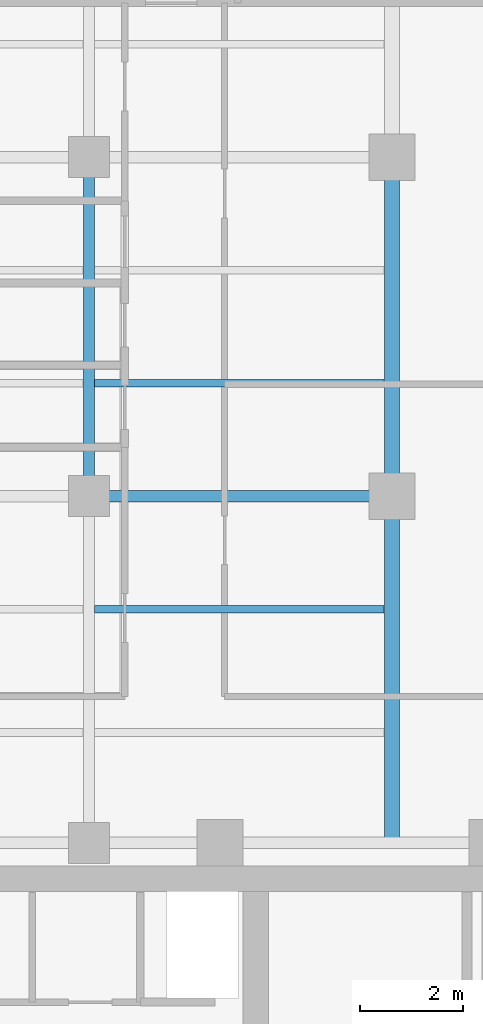
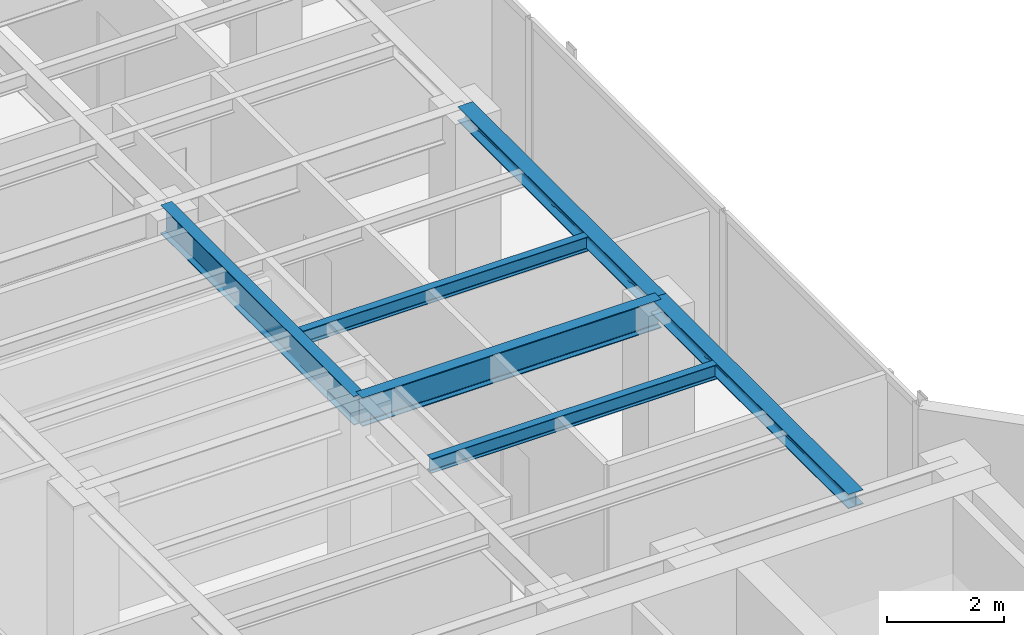
# One storey, part 8 of 23: 6 beams.
"""IFC4 building model written with IfcOpenShell, lengths in metres."""

from ifc_helpers import new_model, si_unit, direction, frame, origin, origin_2d, place, context, subcontext, project, spatial, i_section, extrude, material, material_profile, profile_set, type_object, element, save


model = new_model("IFC4")

# Units and contexts
model_context = context("Model", 3, precision=1e-05, world=origin(), true_north=direction((0.0, 1.0)))
body_context = subcontext(model_context, "Body", "Model", "MODEL_VIEW")
ifc_project = project(units=[si_unit("LENGTHUNIT", "METRE"), si_unit("AREAUNIT", "SQUARE_METRE"), si_unit("VOLUMEUNIT", "CUBIC_METRE"), si_unit("PLANEANGLEUNIT", "RADIAN"), si_unit("MASSUNIT", "GRAM", prefix="KILO")], contexts=[model_context])

# Site, building, storey
site_placement = place(None, origin())
site = spatial("IfcSite", under=ifc_project, at=site_placement, CompositionType="ELEMENT")
building_placement = place(site_placement, origin())
building = spatial("IfcBuilding", under=site, at=building_placement, Name="Kolvaren Waterfront Exchange", CompositionType="ELEMENT")
storey_placement = place(building_placement, frame((0.0, 0.0, 304.60009765625)))
storey = spatial("IfcBuildingStorey", under=building, at=storey_placement, Name="L78", CompositionType="ELEMENT", Elevation=304.60009765625)

# Beams
ifc_material = material(Name="Steel S355", Category="steel")
ifc_material_profile_1 = material_profile(ifc_material, i_section(OverallWidth=0.300048828125, OverallDepth=0.300048828125, WebThickness=0.010986328125, FlangeThickness=0.01904296875, FilletRadius=0.027099609375, at=origin_2d()), Name="HEB300")
ifc_profile_set_1 = profile_set([ifc_material_profile_1], Name="Steel S355")
beam_type_1 = type_object("IfcBeamType", Name="STR-BM-HEB300", PredefinedType="SPANDREL", material=ifc_profile_set_1)
beam_1_placement = place(storey_placement, frame((18.800048828125, 24.449951171875, 3.409912109375), z_axis=(0.0, 1.0, 0.0), x_axis=(-1.0, 0.0, 0.0)))
element("IfcBeam", 1, at=beam_1_placement, inside=storey, type_object=beam_type_1, Name="L78 north-arm edge beam 1", PredefinedType="SPANDREL", context=body_context, shape_type="SweptSolid", body=[
    extrude(i_section(OverallWidth=0.300048828125, OverallDepth=0.300048828125, WebThickness=0.010986328125, FlangeThickness=0.01904296875, FilletRadius=0.027099609375, at=origin_2d()), origin(), (0.0, 0.0, 1.0), 6.75),
])
beam_2_placement = place(storey_placement, frame((18.800048828125, 31.199951171875, 3.409912109375), z_axis=(0.0, 1.0, 0.0), x_axis=(-1.0, 0.0, 0.0)))
element("IfcBeam", 2, at=beam_2_placement, inside=storey, type_object=beam_type_1, Name="L78 north-arm edge beam 2", PredefinedType="SPANDREL", context=body_context, shape_type="SweptSolid", body=[
    extrude(i_section(OverallWidth=0.300048828125, OverallDepth=0.300048828125, WebThickness=0.010986328125, FlangeThickness=0.01904296875, FilletRadius=0.027099609375, at=origin_2d()), origin(), (0.0, 0.0, 1.0), 6.60009765625),
])
ifc_material_profile_2 = material_profile(ifc_material, i_section(OverallWidth=0.14990234375, OverallDepth=0.300048828125, WebThickness=0.007080078125, FlangeThickness=0.0107421875, FilletRadius=0.014892578125, at=origin_2d()), Name="IPE300")
ifc_profile_set_2 = profile_set([ifc_material_profile_2], Name="Steel S355")
beam_type_2 = type_object("IfcBeamType", Name="STR-BM-IPE300", PredefinedType="JOIST", material=ifc_profile_set_2)
for number, where, z_axis, x_axis, name in (
    (3, (13.011962890625, 29.0, 3.409912109375), (1.0, 0.0, 0.0), (0.0, 1.0, 0.0), "L78 north-arm composite joist 2B"),
    (4, (13.011962890625, 33.39990234375, 3.409912109375), (1.0, 0.0, 0.0), (0.0, 1.0, 0.0), "L78 north-arm composite joist 3B"),
):
    element("IfcBeam", number, at=place(storey_placement, frame(where, z_axis=z_axis, x_axis=x_axis)), inside=storey, type_object=beam_type_2, Name=name, PredefinedType="JOIST", context=body_context, shape_type="SweptSolid", body=[
        extrude(i_section(OverallWidth=0.14990234375, OverallDepth=0.300048828125, WebThickness=0.007080078125, FlangeThickness=0.0107421875, FilletRadius=0.014892578125, at=origin_2d()), origin(), (0.0, 0.0, 1.0), 5.635986328125),
    ])
ifc_material_profile_3 = material_profile(ifc_material, i_section(OverallWidth=0.219970703125, OverallDepth=0.60009765625, WebThickness=0.011962890625, FlangeThickness=0.01904296875, FilletRadius=0.02392578125, at=origin_2d()), Name="IPE600")
ifc_profile_set_3 = profile_set([ifc_material_profile_3], Name="Steel S355")
beam_type_3 = type_object("IfcBeamType", Name="STR-BM-IPE600", PredefinedType="BEAM", material=ifc_profile_set_3)
beam_3_placement = place(storey_placement, frame((12.89990234375, 31.199951171875, 3.260009765625), z_axis=(1.0, 0.0, 0.0), x_axis=(0.0, 1.0, 0.0)))
element("IfcBeam", 5, at=beam_3_placement, inside=storey, type_object=beam_type_3, Name="L78 north-arm girder 2B", PredefinedType="BEAM", context=body_context, shape_type="SweptSolid", body=[
    extrude(i_section(OverallWidth=0.219970703125, OverallDepth=0.60009765625, WebThickness=0.011962890625, FlangeThickness=0.01904296875, FilletRadius=0.02392578125, at=origin_2d()), origin(), (0.0, 0.0, 1.0), 5.900146484375),
])
beam_4_placement = place(storey_placement, frame((12.89990234375, 31.199951171875, 3.260009765625), z_axis=(0.0, 1.0, 0.0), x_axis=(-1.0, 0.0, 0.0)))
element("IfcBeam", 6, at=beam_4_placement, inside=storey, type_object=beam_type_3, Name="L78 north-arm edge beam 2", PredefinedType="BEAM", context=body_context, shape_type="SweptSolid", body=[
    extrude(i_section(OverallWidth=0.219970703125, OverallDepth=0.60009765625, WebThickness=0.011962890625, FlangeThickness=0.01904296875, FilletRadius=0.02392578125, at=origin_2d()), origin(), (0.0, 0.0, 1.0), 6.60009765625),
])

save(model, "model.ifc")
